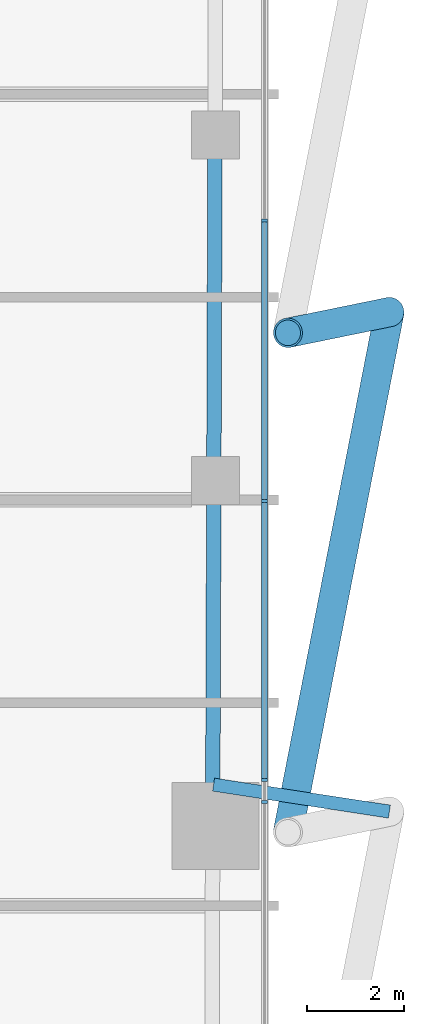
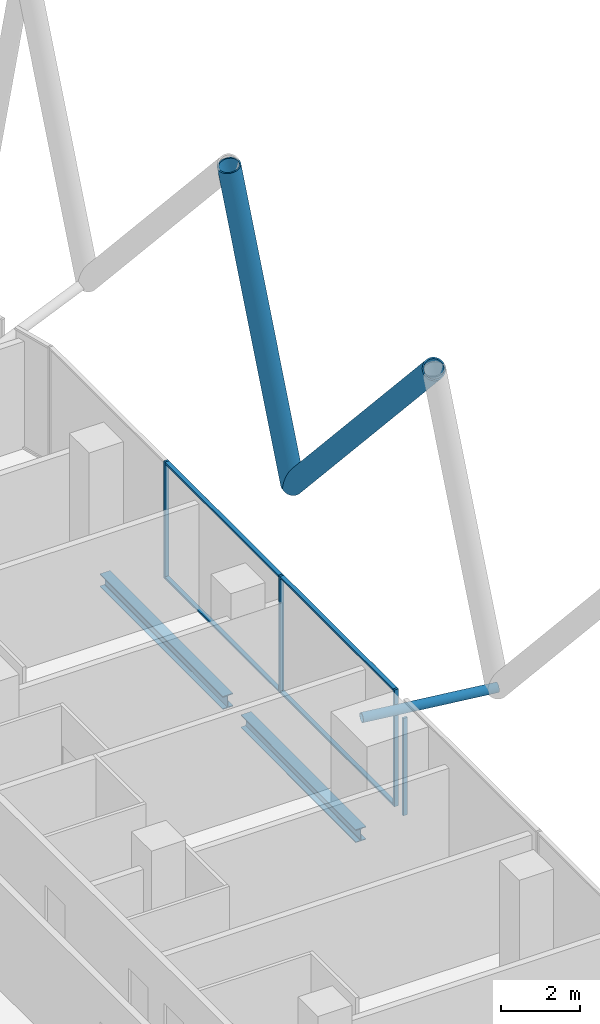
# One storey, part 13 of 36: 11 members, 2 beams, 2 elements without a shape of their own.
"""IFC4 building model written with IfcOpenShell, lengths in metres."""

from ifc_helpers import new_model, si_unit, direction, frame, origin, origin_2d, place, context, subcontext, project, spatial, rectangle, hollow_circle, i_section, extrude, material, layer, layer_set, material_profile, profile_set, type_object, element, aggregate, save


model = new_model("IFC4")

# Units and contexts
model_context = context("Model", 3, precision=1e-05, world=origin(), true_north=direction((0.0, 1.0)))
body_context = subcontext(model_context, "Body", "Model", "MODEL_VIEW")
ifc_project = project(units=[si_unit("LENGTHUNIT", "METRE"), si_unit("AREAUNIT", "SQUARE_METRE"), si_unit("VOLUMEUNIT", "CUBIC_METRE"), si_unit("PLANEANGLEUNIT", "RADIAN"), si_unit("MASSUNIT", "GRAM", prefix="KILO")], contexts=[model_context])

# Site, building, storey
site_placement = place(None, origin())
site = spatial("IfcSite", under=ifc_project, at=site_placement, CompositionType="ELEMENT")
building_placement = place(site_placement, origin())
building = spatial("IfcBuilding", under=site, at=building_placement, Name="Marenta Gate Hotel Tower", CompositionType="ELEMENT")
storey_placement = place(building_placement, frame((0.0, 0.0, 83.300048828125)))
storey = spatial("IfcBuildingStorey", under=building, at=storey_placement, Name="L19", CompositionType="ELEMENT", Elevation=83.300048828125)

# Members
ifc_material_1 = material(Name="Steel S355J2W", Category="steel")
ifc_material_profile_1 = material_profile(ifc_material_1, hollow_circle(Radius=0.304931640625, WallThickness=0.0400390625, at=origin_2d()), Name="CHS 610x40")
ifc_profile_set_1 = profile_set([ifc_material_profile_1], Name="Steel S355J2W")
member_type_1 = type_object("IfcMemberType", Name="Diagrid diagonal T1 CHS 610x40", PredefinedType="BRACE", material=ifc_profile_set_1)
member_1_placement = place(storey_placement, frame((32.0, 20.68994140625, 3.139892578125), z_axis=(-0.190731815435, -0.039046585327, 0.980865301025), x_axis=(0.200560207771, -0.979681378336, 0.0)))
element("IfcMember", 1, at=member_1_placement, inside=storey, type_object=member_type_1, Name="L19-DG-3", PredefinedType="BRACE", context=body_context, shape_type="SweptSolid", body=[
    extrude(hollow_circle(Radius=0.304931640625, WallThickness=0.0400390625, at=origin_2d()), origin(), (0.0, 0.0, 1.0), 11.0107421875),
])
member_2_placement = place(storey_placement, frame((32.0, 20.68994140625, 3.139892578125), z_axis=(-0.136403114628, -0.69952185523, 0.701472283398), x_axis=(0.981514045442, -0.191390121478, 0.0)))
element("IfcMember", 2, at=member_2_placement, inside=storey, type_object=member_type_1, Name="L19-DG-4", PredefinedType="BRACE", context=body_context, shape_type="SweptSolid", body=[
    extrude(hollow_circle(Radius=0.304931640625, WallThickness=0.0400390625, at=origin_2d()), origin(), (0.0, 0.0, 1.0), 15.396240234375),
])

# Beams
ifc_material_2 = material(Name="Steel S355", Category="steel")
ifc_material_profile_2 = material_profile(ifc_material_2, i_section(OverallWidth=0.300048828125, OverallDepth=0.39990234375, WebThickness=0.013427734375, FlangeThickness=0.02392578125, FilletRadius=0.027099609375, at=origin_2d()), Name="HEB 400")
ifc_profile_set_2 = profile_set([ifc_material_profile_2], Name="Steel S355")
beam_type = type_object("IfcBeamType", Name="Edge beam HEB 400", PredefinedType="SPANDREL", material=ifc_profile_set_2)
beam_1_placement = place(storey_placement, frame((28.387939453125, 23.896484375, -0.4599609375), z_axis=(-0.003329137121, -0.999994458408, 0.0), x_axis=(0.999994458408, -0.003329137121, 0.0)))
element("IfcBeam", 3, at=beam_1_placement, inside=storey, type_object=beam_type, Name="L19-EB-23", PredefinedType="SPANDREL", context=body_context, shape_type="SweptSolid", body=[
    extrude(i_section(OverallWidth=0.300048828125, OverallDepth=0.39990234375, WebThickness=0.013427734375, FlangeThickness=0.02392578125, FilletRadius=0.027099609375, at=origin_2d()), origin(), (0.0, 0.0, 1.0), 6.2333984375),
])
beam_2_placement = place(storey_placement, frame((28.364013671875, 16.7431640625, -0.4599609375), z_axis=(-0.003306389661, -0.999994533879, 0.0), x_axis=(0.999994533879, -0.003306389661, 0.0)))
element("IfcBeam", 4, at=beam_2_placement, inside=storey, type_object=beam_type, Name="L19-EB-24", PredefinedType="SPANDREL", context=body_context, shape_type="SweptSolid", body=[
    extrude(i_section(OverallWidth=0.300048828125, OverallDepth=0.39990234375, WebThickness=0.013427734375, FlangeThickness=0.02392578125, FilletRadius=0.027099609375, at=origin_2d()), origin(), (0.0, 0.0, 1.0), 5.833251953125),
])

# Member
ifc_material_3 = material(Name="Steel S355J2W", Category="steel")
ifc_material_profile_3 = material_profile(ifc_material_3, hollow_circle(Radius=0.136474609375, WallThickness=0.012451171875, at=origin_2d()), Name="CHS 273x12.5")
ifc_profile_set_3 = profile_set([ifc_material_profile_3], Name="Steel S355J2W")
member_type_2 = type_object("IfcMemberType", Name="Floor tie CHS 273x12.5", PredefinedType="STRUT", material=ifc_profile_set_3)
member_3_placement = place(storey_placement, frame((32.0, 10.349853515625, 3.139892578125), z_axis=(-0.98846119074, 0.151474335782, 0.0), x_axis=(-0.151474335782, -0.98846119074, 0.0)))
element("IfcMember", 5, at=member_3_placement, inside=storey, type_object=member_type_2, Name="L19-DR-9", PredefinedType="STRUT", context=body_context, shape_type="SweptSolid", body=[
    extrude(hollow_circle(Radius=0.136474609375, WallThickness=0.012451171875, at=origin_2d()), origin(), (0.0, 0.0, 1.0), 3.682861328125),
])

# Curtain wall, member
ifc_material_4 = material(Name="Tinted insulated glass in bronze anodised frame", Category="glass")
ifc_layer = layer(ifc_material_4, 0.1201171875)
ifc_layer_set = layer_set([ifc_layer], Name="Tinted insulated glass in bronze anodised frame")
curtain_wall_type = type_object("IfcCurtainWallType", Name="Tower unitised curtain wall CW1", PredefinedType="NOTDEFINED", material=ifc_layer_set)
curtain_wall_1_placement = place(storey_placement, origin())
curtain_wall_1 = element("IfcCurtainWall", 6, at=curtain_wall_1_placement, inside=storey, type_object=curtain_wall_type, Name="CW1 run G33", PredefinedType="NOTDEFINED")
ifc_material_5 = material(Name="Bronze anodised aluminium", Category="aluminium")
ifc_material_profile_4 = material_profile(ifc_material_5, rectangle(XDim=0.1201171875, YDim=0.06005859375, at=origin_2d()), Name="Mullion CW1 60x120 bronze anodised aluminium")
ifc_profile_set_4 = profile_set([ifc_material_profile_4], Name="Bronze anodised aluminium")
member_type_3 = type_object("IfcMemberType", Name="Mullion CW1 60x120 bronze anodised aluminium", PredefinedType="MULLION", material=ifc_profile_set_4)
member_4_placement = place(storey_placement, frame((29.4140625, 10.547119140625, 0.0), z_axis=(0.0, 0.0, 1.0), x_axis=(-1.0, 0.0, 0.0)))
member_4 = element("IfcMember", 7, at=member_4_placement, type_object=member_type_3, Name="CW1 mullion 1", PredefinedType="MULLION", context=body_context, shape_type="SweptSolid", body=[
    extrude(rectangle(XDim=0.1201171875, YDim=0.06005859375, at=origin_2d()), origin(), (0.0, 0.0, 1.0), 3.00048828125),
])
aggregate(curtain_wall_1, [member_4])

# Curtain wall, members
curtain_wall_2_placement = place(storey_placement, origin())
curtain_wall_2 = element("IfcCurtainWall", 8, at=curtain_wall_2_placement, inside=storey, type_object=curtain_wall_type, Name="CW1 run G34", PredefinedType="NOTDEFINED")
member_5_placement = place(storey_placement, frame((29.4140625, 11.00537109375, 0.0), z_axis=(0.0, 0.0, 1.0), x_axis=(-1.0, 0.0, 0.0)))
member_5 = element("IfcMember", 9, at=member_5_placement, type_object=member_type_3, Name="CW1 mullion 1", PredefinedType="MULLION", context=body_context, shape_type="SweptSolid", body=[
    extrude(rectangle(XDim=0.1201171875, YDim=0.06005859375, at=origin_2d()), origin(), (0.0, 0.0, 1.0), 3.599853515625),
])
member_6_placement = place(storey_placement, frame((29.4140625, 16.78076171875, 0.0), z_axis=(0.0, 0.0, 1.0), x_axis=(-1.0, 0.0, 0.0)))
member_6 = element("IfcMember", 10, at=member_6_placement, type_object=member_type_3, Name="CW1 mullion 2", PredefinedType="MULLION", context=body_context, shape_type="SweptSolid", body=[
    extrude(rectangle(XDim=0.1201171875, YDim=0.06005859375, at=origin_2d()), origin(), (0.0, 0.0, 1.0), 3.599853515625),
])
member_7_placement = place(storey_placement, frame((29.4140625, 22.58642578125, 0.0), z_axis=(0.0, 0.0, 1.0), x_axis=(-1.0, 0.0, 0.0)))
member_7 = element("IfcMember", 11, at=member_7_placement, type_object=member_type_3, Name="CW1 mullion 3", PredefinedType="MULLION", context=body_context, shape_type="SweptSolid", body=[
    extrude(rectangle(XDim=0.1201171875, YDim=0.06005859375, at=origin_2d()), origin(), (0.0, 0.0, 1.0), 3.599853515625),
])
ifc_material_6 = material(Name="Bronze anodised aluminium", Category="aluminium")
ifc_material_profile_5 = material_profile(ifc_material_6, rectangle(XDim=0.1201171875, YDim=0.06005859375, at=origin_2d()), Name="Transom CW1 60x120 bronze anodised aluminium")
ifc_profile_set_5 = profile_set([ifc_material_profile_5], Name="Bronze anodised aluminium")
member_type_4 = type_object("IfcMemberType", Name="Transom CW1 60x120 bronze anodised aluminium", PredefinedType="USERDEFINED", material=ifc_profile_set_5)
member_8_placement = place(storey_placement, frame((29.4140625, 11.035400390625, 0.030029296875), z_axis=(0.0, 1.0, 0.0), x_axis=(-1.0, 0.0, 0.0)))
member_8 = element("IfcMember", 12, at=member_8_placement, type_object=member_type_4, Name="CW1 transom 1.1", ObjectType="TRANSOM", PredefinedType="USERDEFINED", context=body_context, shape_type="SweptSolid", body=[
    extrude(rectangle(XDim=0.1201171875, YDim=0.06005859375, at=origin_2d()), origin(), (0.0, 0.0, 1.0), 5.71533203125),
])
member_9_placement = place(storey_placement, frame((29.4140625, 11.035400390625, 3.570068359375), z_axis=(0.0, 1.0, 0.0), x_axis=(-1.0, 0.0, 0.0)))
member_9 = element("IfcMember", 13, at=member_9_placement, type_object=member_type_4, Name="CW1 transom 1.2", ObjectType="TRANSOM", PredefinedType="USERDEFINED", context=body_context, shape_type="SweptSolid", body=[
    extrude(rectangle(XDim=0.1201171875, YDim=0.06005859375, at=origin_2d()), origin(), (0.0, 0.0, 1.0), 5.71533203125),
])
member_10_placement = place(storey_placement, frame((29.4140625, 16.810791015625, 0.030029296875), z_axis=(0.0, 1.0, 0.0), x_axis=(-1.0, 0.0, 0.0)))
member_10 = element("IfcMember", 14, at=member_10_placement, type_object=member_type_4, Name="CW1 transom 2.1", ObjectType="TRANSOM", PredefinedType="USERDEFINED", context=body_context, shape_type="SweptSolid", body=[
    extrude(rectangle(XDim=0.1201171875, YDim=0.06005859375, at=origin_2d()), origin(), (0.0, 0.0, 1.0), 5.74560546875),
])
member_11_placement = place(storey_placement, frame((29.4140625, 16.810791015625, 3.570068359375), z_axis=(0.0, 1.0, 0.0), x_axis=(-1.0, 0.0, 0.0)))
member_11 = element("IfcMember", 15, at=member_11_placement, type_object=member_type_4, Name="CW1 transom 2.2", ObjectType="TRANSOM", PredefinedType="USERDEFINED", context=body_context, shape_type="SweptSolid", body=[
    extrude(rectangle(XDim=0.1201171875, YDim=0.06005859375, at=origin_2d()), origin(), (0.0, 0.0, 1.0), 5.74560546875),
])
aggregate(curtain_wall_2, [member_5, member_6, member_7, member_8, member_9, member_10, member_11])

save(model, "model.ifc")
